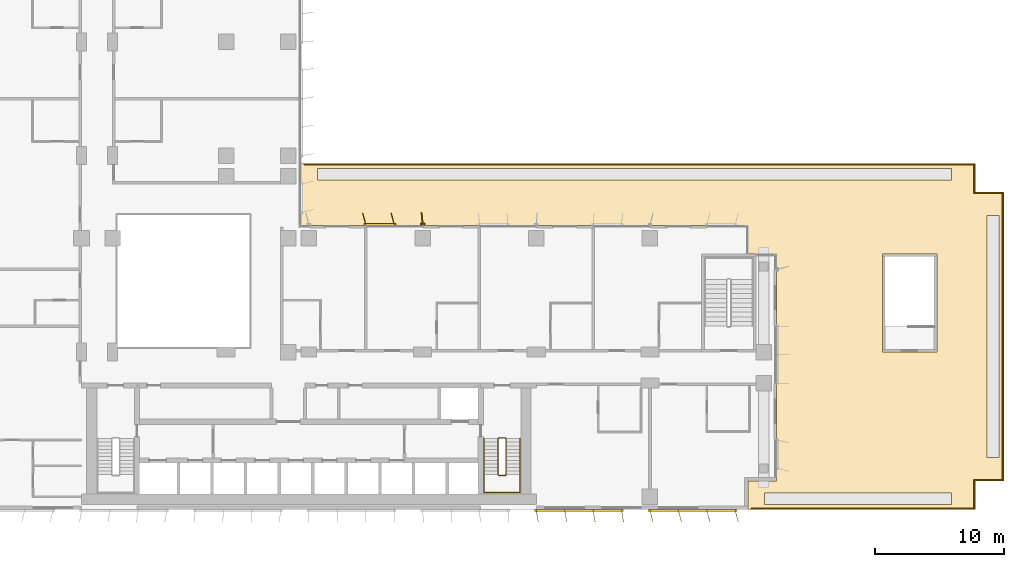
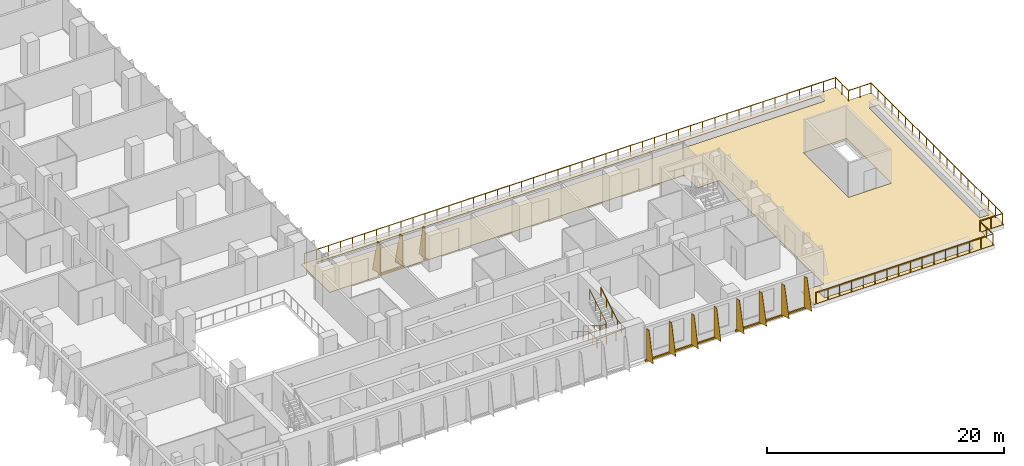
# One storey, part 24 of 27: 4 shading devices, 3 railings, 1 covering.
"""IFC4 building model written with IfcOpenShell, lengths in metres."""

from ifc_helpers import new_model, si_unit, direction, frame, origin, origin_2d, place, context, subcontext, project, spatial, polyline, rectangle, circle, outline, extrude, source, transform, mapped, material, layer, layer_set, type_object, element, save


model = new_model("IFC4")

# Units and contexts
model_context = context("Model", 3, precision=1e-05, world=origin(), true_north=direction((0.0, 1.0)))
body_context = subcontext(model_context, "Body", "Model", "MODEL_VIEW")
ifc_project = project(units=[si_unit("LENGTHUNIT", "METRE"), si_unit("AREAUNIT", "SQUARE_METRE"), si_unit("VOLUMEUNIT", "CUBIC_METRE"), si_unit("PLANEANGLEUNIT", "RADIAN"), si_unit("MASSUNIT", "GRAM", prefix="KILO")], contexts=[model_context])

# Site, building, storey
site_placement = place(None, origin())
site = spatial("IfcSite", under=ifc_project, at=site_placement, CompositionType="ELEMENT")
building_placement = place(site_placement, origin())
building = spatial("IfcBuilding", under=site, at=building_placement, Name="Kemantara Hotel Tower", CompositionType="ELEMENT")
storey_placement = place(building_placement, frame((0.0, 0.0, 83.39990234375)))
storey = spatial("IfcBuildingStorey", under=building, at=storey_placement, Name="L19", CompositionType="ELEMENT", Elevation=83.39990234375)

# Railings
ifc_material_1 = material(Name="Stainless steel balustrade", Category="steel")
railing_type_1 = type_object("IfcRailingType", Name="Stair guard 1100 mm", PredefinedType="GUARDRAIL", material=ifc_material_1)
railing_1_placement = place(storey_placement, frame((42.64990234375, 5.5, 3.7001953125)))
element("IfcRailing", 1, at=railing_1_placement, inside=storey, type_object=railing_type_1, Name="L19 ST2 stair guard 1", PredefinedType="GUARDRAIL", context=body_context, shape_type="SweptSolid", body=[
    extrude(circle(Radius=0.02392578125, at=origin_2d()), frame((0.0, 0.0, 1.076171875), z_axis=(0.0, -0.857242210791, -0.514913383045), x_axis=(1.0, 0.0, 0.0)), (0.0, 0.0, 1.0), 3.266357421875),
    extrude(circle(Radius=0.02392578125, at=origin_2d()), frame((0.0, -2.800048828125, -0.60595703125), z_axis=(-0.273006030465, -0.27434429532, -0.922064485248), x_axis=(0.708833529934, -0.705375805398, 0.0)), (0.0, 0.0, 1.0), 0.182373046875),
    extrude(circle(Radius=0.02392578125, at=origin_2d()), frame((-0.0498046875, -2.85009765625, -0.77392578125), z_axis=(-1.0, 0.0, 0.0), x_axis=(0.0, -1.0, 0.0)), (0.0, 0.0, 1.0), 0.5),
    extrude(circle(Radius=0.02392578125, at=origin_2d()), frame((-0.5498046875, -2.85009765625, -0.77392578125), z_axis=(-0.707106781187, 0.707106781187, 0.0), x_axis=(-0.707106781187, -0.707106781187, 0.0)), (0.0, 0.0, 1.0), 0.07080078125),
    extrude(circle(Radius=0.02392578125, at=origin_2d()), frame((-0.599853515625, -2.800048828125, -0.77392578125), z_axis=(0.0, 0.857242210791, -0.514913383045), x_axis=(-1.0, 0.0, 0.0)), (0.0, 0.0, 1.0), 3.266357421875),
    extrude(circle(Radius=0.02392578125, at=origin_2d()), frame((-0.599853515625, 0.0, -2.4560546875), z_axis=(0.274243871929, 0.274243871929, -0.92172696468), x_axis=(-0.707106781187, 0.707106781187, 0.0)), (0.0, 0.0, 1.0), 0.1826171875),
    extrude(circle(Radius=0.02392578125, at=origin_2d()), frame((-0.5498046875, 0.050048828125, -2.6240234375), z_axis=(1.0, 0.0, 0.0), x_axis=(0.0, 1.0, 0.0)), (0.0, 0.0, 1.0), 0.5),
    extrude(circle(Radius=0.02099609375, at=origin_2d()), origin(), (0.0, 0.0, 1.0), 1.052001953125),
    extrude(circle(Radius=0.02099609375, at=origin_2d()), frame((0.0, -0.933349609375, -0.560546875)), (0.0, 0.0, 1.0), 1.052001953125),
    extrude(circle(Radius=0.02099609375, at=origin_2d()), frame((0.0, -1.86669921875, -1.121337890625)), (0.0, 0.0, 1.0), 1.052001953125),
    extrude(circle(Radius=0.02099609375, at=origin_2d()), frame((0.0, -2.800048828125, -1.681884765625)), (0.0, 0.0, 1.0), 1.052001953125),
    extrude(circle(Radius=0.02099609375, at=origin_2d()), frame((-0.0498046875, -2.85009765625, -1.85009765625)), (0.0, 0.0, 1.0), 1.052001953125),
    extrude(circle(Radius=0.02099609375, at=origin_2d()), frame((-0.5498046875, -2.85009765625, -1.85009765625)), (0.0, 0.0, 1.0), 1.052001953125),
    extrude(circle(Radius=0.02099609375, at=origin_2d()), frame((-0.599853515625, -2.800048828125, -1.85009765625)), (0.0, 0.0, 1.0), 1.052001953125),
    extrude(circle(Radius=0.02099609375, at=origin_2d()), frame((-0.599853515625, -1.86669921875, -2.41064453125)), (0.0, 0.0, 1.0), 1.052001953125),
    extrude(circle(Radius=0.02099609375, at=origin_2d()), frame((-0.599853515625, -0.933349609375, -2.971435546875)), (0.0, 0.0, 1.0), 1.052001953125),
    extrude(circle(Radius=0.02099609375, at=origin_2d()), frame((-0.599853515625, 0.0, -3.531982421875)), (0.0, 0.0, 1.0), 1.052001953125),
    extrude(circle(Radius=0.02099609375, at=origin_2d()), frame((-0.5498046875, 0.050048828125, -3.7001953125)), (0.0, 0.0, 1.0), 1.052001953125),
    extrude(circle(Radius=0.02099609375, at=origin_2d()), frame((-0.0498046875, 0.050048828125, -3.7001953125)), (0.0, 0.0, 1.0), 1.052001953125),
])
railing_type_2 = type_object("IfcRailingType", Name="Stair handrail 900 mm", PredefinedType="HANDRAIL", material=ifc_material_1)
railing_2_placement = place(storey_placement, frame((40.949951171875, 5.5, 0.168212890625)))
element("IfcRailing", 2, at=railing_2_placement, inside=storey, type_object=railing_type_2, Name="L19 ST2 stair handrail 1", PredefinedType="HANDRAIL", context=body_context, shape_type="SweptSolid", body=[
    extrude(circle(Radius=0.02392578125, at=origin_2d()), frame((0.0, 0.0, 0.8759765625), z_axis=(0.0, -0.857242210791, 0.514913383045), x_axis=(1.0, 0.0, 0.0)), (0.0, 0.0, 1.0), 3.266357421875),
    extrude(circle(Radius=0.02392578125, at=origin_2d()), frame((0.0, -2.800048828125, 2.5576171875), z_axis=(0.0, -1.0, 0.0), x_axis=(1.0, 0.0, 0.0)), (0.0, 0.0, 1.0), 1.3798828125),
    extrude(circle(Radius=0.02392578125, at=origin_2d()), frame((0.0, -4.179931640625, 2.5576171875), z_axis=(0.998200367801, 0.0, 0.059966871865), x_axis=(0.0, 1.0, 0.0)), (0.0, 0.0, 1.0), 2.80517578125),
    extrude(circle(Radius=0.02392578125, at=origin_2d()), frame((2.800048828125, -4.179931640625, 2.72607421875), z_axis=(0.0, 1.0, 0.0), x_axis=(-1.0, 0.0, 0.0)), (0.0, 0.0, 1.0), 1.3798828125),
    extrude(circle(Radius=0.02392578125, at=origin_2d()), frame((2.800048828125, -2.800048828125, 2.72607421875), z_axis=(0.0, 0.857242210791, 0.514913383045), x_axis=(-1.0, 0.0, 0.0)), (0.0, 0.0, 1.0), 3.266357421875),
    extrude(circle(Radius=0.02099609375, at=origin_2d()), origin(), (0.0, 0.0, 1.0), 0.851806640625),
    extrude(circle(Radius=0.02099609375, at=origin_2d()), frame((0.0, -0.933349609375, 0.560546875)), (0.0, 0.0, 1.0), 0.851806640625),
    extrude(circle(Radius=0.02099609375, at=origin_2d()), frame((0.0, -1.86669921875, 1.121337890625)), (0.0, 0.0, 1.0), 0.851806640625),
    extrude(circle(Radius=0.02099609375, at=origin_2d()), frame((0.0, -2.800048828125, 1.681884765625)), (0.0, 0.0, 1.0), 0.851806640625),
    extrude(circle(Radius=0.02099609375, at=origin_2d()), frame((0.0, -3.489990234375, 1.681884765625)), (0.0, 0.0, 1.0), 0.851806640625),
    extrude(circle(Radius=0.02099609375, at=origin_2d()), frame((0.0, -4.179931640625, 1.681884765625)), (0.0, 0.0, 1.0), 0.851806640625),
    extrude(circle(Radius=0.02099609375, at=origin_2d()), frame((0.933349609375, -4.179931640625, 1.738037109375)), (0.0, 0.0, 1.0), 0.851806640625),
    extrude(circle(Radius=0.02099609375, at=origin_2d()), frame((1.86669921875, -4.179931640625, 1.7939453125)), (0.0, 0.0, 1.0), 0.851806640625),
    extrude(circle(Radius=0.02099609375, at=origin_2d()), frame((2.800048828125, -4.179931640625, 1.85009765625)), (0.0, 0.0, 1.0), 0.851806640625),
    extrude(circle(Radius=0.02099609375, at=origin_2d()), frame((2.800048828125, -3.489990234375, 1.85009765625)), (0.0, 0.0, 1.0), 0.851806640625),
    extrude(circle(Radius=0.02099609375, at=origin_2d()), frame((2.800048828125, -2.800048828125, 1.85009765625)), (0.0, 0.0, 1.0), 0.851806640625),
    extrude(circle(Radius=0.02099609375, at=origin_2d()), frame((2.800048828125, -1.86669921875, 2.41064453125)), (0.0, 0.0, 1.0), 0.851806640625),
    extrude(circle(Radius=0.02099609375, at=origin_2d()), frame((2.800048828125, -0.933349609375, 2.971435546875)), (0.0, 0.0, 1.0), 0.851806640625),
    extrude(circle(Radius=0.02099609375, at=origin_2d()), frame((2.800048828125, 0.0, 3.531982421875)), (0.0, 0.0, 1.0), 0.851806640625),
])
ifc_material_2 = material(Name="Stainless steel 316 (EN 1.4401)", Category="steel")
railing_type_3 = type_object("IfcRailingType", Name="TERRACE GUARD, STAINLESS STEEL 1100", PredefinedType="GUARDRAIL", material=ifc_material_2)
railing_3_placement = place(storey_placement, frame((27.050048828125, 26.699951171875, 0.0)))
element("IfcRailing", 3, at=railing_3_placement, inside=storey, type_object=railing_type_3, Name="TERRACE GUARD TERRACE-S1-1", PredefinedType="GUARDRAIL", context=body_context, shape_type="SweptSolid", body=[
    extrude(circle(Radius=0.02490234375, at=origin_2d()), frame((0.0, 0.0, 1.0751953125), z_axis=(1.0, 0.0, 0.0), x_axis=(0.0, 1.0, 0.0)), (0.0, 0.0, 1.0), 51.849853515625),
    extrude(circle(Radius=0.02490234375, at=origin_2d()), frame((51.849853515625, 0.0, 1.0751953125), z_axis=(0.0, -1.0, 0.0), x_axis=(1.0, 0.0, 0.0)), (0.0, 0.0, 1.0), 2.199951171875),
    extrude(circle(Radius=0.02490234375, at=origin_2d()), frame((51.849853515625, -2.199951171875, 1.0751953125), z_axis=(1.0, 0.0, 0.0), x_axis=(0.0, 1.0, 0.0)), (0.0, 0.0, 1.0), 2.2001953125),
    extrude(circle(Radius=0.02490234375, at=origin_2d()), frame((54.050048828125, -2.199951171875, 1.0751953125), z_axis=(0.0, -1.0, 0.0), x_axis=(1.0, 0.0, 0.0)), (0.0, 0.0, 1.0), 22.199951171875),
    extrude(circle(Radius=0.02490234375, at=origin_2d()), frame((54.050048828125, -24.39990234375, 1.0751953125), z_axis=(-1.0, 0.0, 0.0), x_axis=(0.0, -1.0, 0.0)), (0.0, 0.0, 1.0), 2.2001953125),
    extrude(circle(Radius=0.02490234375, at=origin_2d()), frame((51.849853515625, -24.39990234375, 1.0751953125), z_axis=(0.0, -1.0, 0.0), x_axis=(1.0, 0.0, 0.0)), (0.0, 0.0, 1.0), 2.199951171875),
    extrude(circle(Radius=0.02490234375, at=origin_2d()), frame((51.849853515625, -26.599853515625, 1.0751953125), z_axis=(-1.0, 0.0, 0.0), x_axis=(0.0, -1.0, 0.0)), (0.0, 0.0, 1.0), 17.25),
    extrude(circle(Radius=0.02001953125, at=origin_2d()), origin(), (0.0, 0.0, 1.0), 1.050048828125),
    extrude(circle(Radius=0.02001953125, at=origin_2d()), frame((1.178466796875, 0.0, 0.0)), (0.0, 0.0, 1.0), 1.050048828125),
    extrude(circle(Radius=0.02001953125, at=origin_2d()), frame((2.35693359375, 0.0, 0.0)), (0.0, 0.0, 1.0), 1.050048828125),
    extrude(circle(Radius=0.02001953125, at=origin_2d()), frame((3.53515625, 0.0, 0.0)), (0.0, 0.0, 1.0), 1.050048828125),
    extrude(circle(Radius=0.02001953125, at=origin_2d()), frame((4.713623046875, 0.0, 0.0)), (0.0, 0.0, 1.0), 1.050048828125),
    extrude(circle(Radius=0.02001953125, at=origin_2d()), frame((5.89208984375, 0.0, 0.0)), (0.0, 0.0, 1.0), 1.050048828125),
    extrude(circle(Radius=0.02001953125, at=origin_2d()), frame((7.0703125, 0.0, 0.0)), (0.0, 0.0, 1.0), 1.050048828125),
    extrude(circle(Radius=0.02001953125, at=origin_2d()), frame((8.248779296875, 0.0, 0.0)), (0.0, 0.0, 1.0), 1.050048828125),
    extrude(circle(Radius=0.02001953125, at=origin_2d()), frame((9.42724609375, 0.0, 0.0)), (0.0, 0.0, 1.0), 1.050048828125),
    extrude(circle(Radius=0.02001953125, at=origin_2d()), frame((10.605712890625, 0.0, 0.0)), (0.0, 0.0, 1.0), 1.050048828125),
    extrude(circle(Radius=0.02001953125, at=origin_2d()), frame((11.7841796875, 0.0, 0.0)), (0.0, 0.0, 1.0), 1.050048828125),
    extrude(circle(Radius=0.02001953125, at=origin_2d()), frame((12.96240234375, 0.0, 0.0)), (0.0, 0.0, 1.0), 1.050048828125),
    extrude(circle(Radius=0.02001953125, at=origin_2d()), frame((14.140869140625, 0.0, 0.0)), (0.0, 0.0, 1.0), 1.050048828125),
    extrude(circle(Radius=0.02001953125, at=origin_2d()), frame((15.3193359375, 0.0, 0.0)), (0.0, 0.0, 1.0), 1.050048828125),
    extrude(circle(Radius=0.02001953125, at=origin_2d()), frame((16.49755859375, 0.0, 0.0)), (0.0, 0.0, 1.0), 1.050048828125),
    extrude(circle(Radius=0.02001953125, at=origin_2d()), frame((17.676025390625, 0.0, 0.0)), (0.0, 0.0, 1.0), 1.050048828125),
    extrude(circle(Radius=0.02001953125, at=origin_2d()), frame((18.8544921875, 0.0, 0.0)), (0.0, 0.0, 1.0), 1.050048828125),
    extrude(circle(Radius=0.02001953125, at=origin_2d()), frame((20.032958984375, 0.0, 0.0)), (0.0, 0.0, 1.0), 1.050048828125),
    extrude(circle(Radius=0.02001953125, at=origin_2d()), frame((21.21142578125, 0.0, 0.0)), (0.0, 0.0, 1.0), 1.050048828125),
    extrude(circle(Radius=0.02001953125, at=origin_2d()), frame((22.3896484375, 0.0, 0.0)), (0.0, 0.0, 1.0), 1.050048828125),
    extrude(circle(Radius=0.02001953125, at=origin_2d()), frame((23.568115234375, 0.0, 0.0)), (0.0, 0.0, 1.0), 1.050048828125),
    extrude(circle(Radius=0.02001953125, at=origin_2d()), frame((24.74658203125, 0.0, 0.0)), (0.0, 0.0, 1.0), 1.050048828125),
    extrude(circle(Radius=0.02001953125, at=origin_2d()), frame((25.9248046875, 0.0, 0.0)), (0.0, 0.0, 1.0), 1.050048828125),
    extrude(circle(Radius=0.02001953125, at=origin_2d()), frame((27.103271484375, 0.0, 0.0)), (0.0, 0.0, 1.0), 1.050048828125),
    extrude(circle(Radius=0.02001953125, at=origin_2d()), frame((28.28173828125, 0.0, 0.0)), (0.0, 0.0, 1.0), 1.050048828125),
    extrude(circle(Radius=0.02001953125, at=origin_2d()), frame((29.460205078125, 0.0, 0.0)), (0.0, 0.0, 1.0), 1.050048828125),
    extrude(circle(Radius=0.02001953125, at=origin_2d()), frame((30.638671875, 0.0, 0.0)), (0.0, 0.0, 1.0), 1.050048828125),
    extrude(circle(Radius=0.02001953125, at=origin_2d()), frame((31.81689453125, 0.0, 0.0)), (0.0, 0.0, 1.0), 1.050048828125),
    extrude(circle(Radius=0.02001953125, at=origin_2d()), frame((32.995361328125, 0.0, 0.0)), (0.0, 0.0, 1.0), 1.050048828125),
    extrude(circle(Radius=0.02001953125, at=origin_2d()), frame((34.173828125, 0.0, 0.0)), (0.0, 0.0, 1.0), 1.050048828125),
    extrude(circle(Radius=0.02001953125, at=origin_2d()), frame((35.35205078125, 0.0, 0.0)), (0.0, 0.0, 1.0), 1.050048828125),
    extrude(circle(Radius=0.02001953125, at=origin_2d()), frame((36.530517578125, 0.0, 0.0)), (0.0, 0.0, 1.0), 1.050048828125),
    extrude(circle(Radius=0.02001953125, at=origin_2d()), frame((37.708984375, 0.0, 0.0)), (0.0, 0.0, 1.0), 1.050048828125),
    extrude(circle(Radius=0.02001953125, at=origin_2d()), frame((38.887451171875, 0.0, 0.0)), (0.0, 0.0, 1.0), 1.050048828125),
    extrude(circle(Radius=0.02001953125, at=origin_2d()), frame((40.06591796875, 0.0, 0.0)), (0.0, 0.0, 1.0), 1.050048828125),
    extrude(circle(Radius=0.02001953125, at=origin_2d()), frame((41.244140625, 0.0, 0.0)), (0.0, 0.0, 1.0), 1.050048828125),
    extrude(circle(Radius=0.02001953125, at=origin_2d()), frame((42.422607421875, 0.0, 0.0)), (0.0, 0.0, 1.0), 1.050048828125),
    extrude(circle(Radius=0.02001953125, at=origin_2d()), frame((43.60107421875, 0.0, 0.0)), (0.0, 0.0, 1.0), 1.050048828125),
    extrude(circle(Radius=0.02001953125, at=origin_2d()), frame((44.779296875, 0.0, 0.0)), (0.0, 0.0, 1.0), 1.050048828125),
    extrude(circle(Radius=0.02001953125, at=origin_2d()), frame((45.957763671875, 0.0, 0.0)), (0.0, 0.0, 1.0), 1.050048828125),
    extrude(circle(Radius=0.02001953125, at=origin_2d()), frame((47.13623046875, 0.0, 0.0)), (0.0, 0.0, 1.0), 1.050048828125),
    extrude(circle(Radius=0.02001953125, at=origin_2d()), frame((48.314697265625, 0.0, 0.0)), (0.0, 0.0, 1.0), 1.050048828125),
    extrude(circle(Radius=0.02001953125, at=origin_2d()), frame((49.4931640625, 0.0, 0.0)), (0.0, 0.0, 1.0), 1.050048828125),
    extrude(circle(Radius=0.02001953125, at=origin_2d()), frame((50.67138671875, 0.0, 0.0)), (0.0, 0.0, 1.0), 1.050048828125),
    extrude(circle(Radius=0.02001953125, at=origin_2d()), frame((51.849853515625, 0.0, 0.0)), (0.0, 0.0, 1.0), 1.050048828125),
    extrude(circle(Radius=0.02001953125, at=origin_2d()), frame((51.849853515625, -1.10009765625, 0.0)), (0.0, 0.0, 1.0), 1.050048828125),
    extrude(circle(Radius=0.02001953125, at=origin_2d()), frame((51.849853515625, -2.199951171875, 0.0)), (0.0, 0.0, 1.0), 1.050048828125),
    extrude(circle(Radius=0.02001953125, at=origin_2d()), frame((52.949951171875, -2.199951171875, 0.0)), (0.0, 0.0, 1.0), 1.050048828125),
    extrude(circle(Radius=0.02001953125, at=origin_2d()), frame((54.050048828125, -2.199951171875, 0.0)), (0.0, 0.0, 1.0), 1.050048828125),
    extrude(circle(Radius=0.02001953125, at=origin_2d()), frame((54.050048828125, -3.368408203125, 0.0)), (0.0, 0.0, 1.0), 1.050048828125),
    extrude(circle(Radius=0.02001953125, at=origin_2d()), frame((54.050048828125, -4.536865234375, 0.0)), (0.0, 0.0, 1.0), 1.050048828125),
    extrude(circle(Radius=0.02001953125, at=origin_2d()), frame((54.050048828125, -5.705322265625, 0.0)), (0.0, 0.0, 1.0), 1.050048828125),
    extrude(circle(Radius=0.02001953125, at=origin_2d()), frame((54.050048828125, -6.87353515625, 0.0)), (0.0, 0.0, 1.0), 1.050048828125),
    extrude(circle(Radius=0.02001953125, at=origin_2d()), frame((54.050048828125, -8.0419921875, 0.0)), (0.0, 0.0, 1.0), 1.050048828125),
    extrude(circle(Radius=0.02001953125, at=origin_2d()), frame((54.050048828125, -9.21044921875, 0.0)), (0.0, 0.0, 1.0), 1.050048828125),
    extrude(circle(Radius=0.02001953125, at=origin_2d()), frame((54.050048828125, -10.37890625, 0.0)), (0.0, 0.0, 1.0), 1.050048828125),
    extrude(circle(Radius=0.02001953125, at=origin_2d()), frame((54.050048828125, -11.54736328125, 0.0)), (0.0, 0.0, 1.0), 1.050048828125),
    extrude(circle(Radius=0.02001953125, at=origin_2d()), frame((54.050048828125, -12.7158203125, 0.0)), (0.0, 0.0, 1.0), 1.050048828125),
    extrude(circle(Radius=0.02001953125, at=origin_2d()), frame((54.050048828125, -13.884033203125, 0.0)), (0.0, 0.0, 1.0), 1.050048828125),
    extrude(circle(Radius=0.02001953125, at=origin_2d()), frame((54.050048828125, -15.052490234375, 0.0)), (0.0, 0.0, 1.0), 1.050048828125),
    extrude(circle(Radius=0.02001953125, at=origin_2d()), frame((54.050048828125, -16.220947265625, 0.0)), (0.0, 0.0, 1.0), 1.050048828125),
    extrude(circle(Radius=0.02001953125, at=origin_2d()), frame((54.050048828125, -17.389404296875, 0.0)), (0.0, 0.0, 1.0), 1.050048828125),
    extrude(circle(Radius=0.02001953125, at=origin_2d()), frame((54.050048828125, -18.557861328125, 0.0)), (0.0, 0.0, 1.0), 1.050048828125),
    extrude(circle(Radius=0.02001953125, at=origin_2d()), frame((54.050048828125, -19.726318359375, 0.0)), (0.0, 0.0, 1.0), 1.050048828125),
    extrude(circle(Radius=0.02001953125, at=origin_2d()), frame((54.050048828125, -20.89453125, 0.0)), (0.0, 0.0, 1.0), 1.050048828125),
    extrude(circle(Radius=0.02001953125, at=origin_2d()), frame((54.050048828125, -22.06298828125, 0.0)), (0.0, 0.0, 1.0), 1.050048828125),
    extrude(circle(Radius=0.02001953125, at=origin_2d()), frame((54.050048828125, -23.2314453125, 0.0)), (0.0, 0.0, 1.0), 1.050048828125),
    extrude(circle(Radius=0.02001953125, at=origin_2d()), frame((54.050048828125, -24.39990234375, 0.0)), (0.0, 0.0, 1.0), 1.050048828125),
    extrude(circle(Radius=0.02001953125, at=origin_2d()), frame((52.949951171875, -24.39990234375, 0.0)), (0.0, 0.0, 1.0), 1.050048828125),
    extrude(circle(Radius=0.02001953125, at=origin_2d()), frame((51.849853515625, -24.39990234375, 0.0)), (0.0, 0.0, 1.0), 1.050048828125),
    extrude(circle(Radius=0.02001953125, at=origin_2d()), frame((51.849853515625, -25.5, 0.0)), (0.0, 0.0, 1.0), 1.050048828125),
    extrude(circle(Radius=0.02001953125, at=origin_2d()), frame((51.849853515625, -26.599853515625, 0.0)), (0.0, 0.0, 1.0), 1.050048828125),
    extrude(circle(Radius=0.02001953125, at=origin_2d()), frame((50.699951171875, -26.599853515625, 0.0)), (0.0, 0.0, 1.0), 1.050048828125),
    extrude(circle(Radius=0.02001953125, at=origin_2d()), frame((49.5498046875, -26.599853515625, 0.0)), (0.0, 0.0, 1.0), 1.050048828125),
    extrude(circle(Radius=0.02001953125, at=origin_2d()), frame((48.39990234375, -26.599853515625, 0.0)), (0.0, 0.0, 1.0), 1.050048828125),
    extrude(circle(Radius=0.02001953125, at=origin_2d()), frame((47.249755859375, -26.599853515625, 0.0)), (0.0, 0.0, 1.0), 1.050048828125),
    extrude(circle(Radius=0.02001953125, at=origin_2d()), frame((46.099853515625, -26.599853515625, 0.0)), (0.0, 0.0, 1.0), 1.050048828125),
    extrude(circle(Radius=0.02001953125, at=origin_2d()), frame((44.949951171875, -26.599853515625, 0.0)), (0.0, 0.0, 1.0), 1.050048828125),
    extrude(circle(Radius=0.02001953125, at=origin_2d()), frame((43.7998046875, -26.599853515625, 0.0)), (0.0, 0.0, 1.0), 1.050048828125),
    extrude(circle(Radius=0.02001953125, at=origin_2d()), frame((42.64990234375, -26.599853515625, 0.0)), (0.0, 0.0, 1.0), 1.050048828125),
    extrude(circle(Radius=0.02001953125, at=origin_2d()), frame((41.499755859375, -26.599853515625, 0.0)), (0.0, 0.0, 1.0), 1.050048828125),
    extrude(circle(Radius=0.02001953125, at=origin_2d()), frame((40.349853515625, -26.599853515625, 0.0)), (0.0, 0.0, 1.0), 1.050048828125),
    extrude(circle(Radius=0.02001953125, at=origin_2d()), frame((39.199951171875, -26.599853515625, 0.0)), (0.0, 0.0, 1.0), 1.050048828125),
    extrude(circle(Radius=0.02001953125, at=origin_2d()), frame((38.0498046875, -26.599853515625, 0.0)), (0.0, 0.0, 1.0), 1.050048828125),
    extrude(circle(Radius=0.02001953125, at=origin_2d()), frame((36.89990234375, -26.599853515625, 0.0)), (0.0, 0.0, 1.0), 1.050048828125),
    extrude(circle(Radius=0.02001953125, at=origin_2d()), frame((35.749755859375, -26.599853515625, 0.0)), (0.0, 0.0, 1.0), 1.050048828125),
    extrude(circle(Radius=0.02001953125, at=origin_2d()), frame((34.599853515625, -26.599853515625, 0.0)), (0.0, 0.0, 1.0), 1.050048828125),
])

# Covering
ifc_material_3 = material(Name="Bituminous roofing membrane under porcelain paving")
ifc_layer_1 = layer(ifc_material_3, 0.050048828125)
ifc_layer_set_1 = layer_set([ifc_layer_1], Name="Bituminous roofing membrane under porcelain paving")
covering_type = type_object("IfcCoveringType", Name="TERRACE ROOFING AND PAVING 50", PredefinedType="ROOFING", material=ifc_layer_set_1)
covering_placement = place(storey_placement, frame((0.0, 0.0, -0.0498046875)))
element("IfcCovering", 4, at=covering_placement, inside=storey, type_object=covering_type, Name="ROOFING AND PAVING TERRACE-S1", PredefinedType="ROOFING", context=body_context, shape_type="SweptSolid", body=[
    extrude(outline(polyline([(81.199951171875, 2.199951171875), (79.0, 2.199951171875), (79.0, 0.0), (61.39990234375, 0.0), (61.39990234375, 2.199951171875), (63.60009765625, 2.199951171875), (63.60009765625, 19.800048828125), (61.39990234375, 19.800048828125), (61.39990234375, 22.0), (26.800048828125, 22.0), (26.800048828125, 26.800048828125), (79.0, 26.800048828125), (79.0, 24.60009765625), (81.199951171875, 24.60009765625), (81.199951171875, 2.199951171875)]), holes=[polyline([(71.800048828125, 12.199951171875), (76.0, 12.199951171875), (76.0, 19.800048828125), (71.800048828125, 19.800048828125), (71.800048828125, 12.199951171875)]), polyline([(77.14990234375, 25.5), (77.14990234375, 26.39990234375), (28.050048828125, 26.39990234375), (28.050048828125, 25.5), (77.14990234375, 25.5)]), polyline([(79.89990234375, 22.75), (79.89990234375, 4.050048828125), (80.800048828125, 4.050048828125), (80.800048828125, 22.75), (79.89990234375, 22.75)]), polyline([(77.14990234375, 0.39990234375), (77.14990234375, 1.300048828125), (62.64990234375, 1.300048828125), (62.64990234375, 0.39990234375), (77.14990234375, 0.39990234375)])]), origin(), (0.0, 0.0, 1.0), 0.0498046875),
])

# Shading devices
ifc_material_4 = material(Name="Perforated aluminium plate 4 mm bronze anodised", Category="aluminium")
ifc_layer_2 = layer(ifc_material_4, 0.0400390625)
ifc_layer_set_2 = layer_set([ifc_layer_2], Name="Perforated aluminium plate 4 mm bronze anodised")
shading_device_type_1 = type_object("IfcShadingDeviceType", Name="SCREEN FIN CASSETTE, 4 BLADES AT +10.0 DEG, 3200 HIGH", PredefinedType="USERDEFINED", material=ifc_layer_set_2)
shared_shape_1 = source(origin(), body_context, "Body", "SweptSolid", [
    extrude(rectangle(XDim=6.89990234375, YDim=0.14990234375, at=origin_2d()), frame((3.300048828125, -0.074951171875, -0.14990234375), z_axis=(0.0, 0.0, 1.0), x_axis=(1.0, 0.0, 0.0)), (0.0, 0.0, 1.0), 0.14990234375),
    extrude(outline(polyline([(0.0, 0.0), (0.89990234375, 0.0), (0.35009765625, 3.199951171875), (0.0, 3.199951171875), (0.0, 0.0)])), frame((0.019775390625, -0.071533203125, 0.0), z_axis=(-0.985389793052, -0.170314285219, 0.0), x_axis=(0.170314285219, -0.985389793052, 0.0)), (0.0, 0.0, 1.0), 0.0400390625),
    extrude(outline(polyline([(0.0, 0.0), (0.89990234375, 0.0), (0.35009765625, 3.199951171875), (0.0, 3.199951171875), (0.0, 0.0)])), frame((2.2197265625, -0.071533203125, 0.0), z_axis=(-0.98521175482, -0.171341174751, 0.0), x_axis=(0.171341174751, -0.98521175482, 0.0)), (0.0, 0.0, 1.0), 0.039794921875),
    extrude(outline(polyline([(0.0, 0.0), (0.89990234375, 0.0), (0.35009765625, 3.199951171875), (0.0, 3.199951171875), (0.0, 0.0)])), frame((4.419677734375, -0.071533203125, 0.0), z_axis=(-0.98521175482, -0.171341174751, 0.0), x_axis=(0.171341174751, -0.98521175482, 0.0)), (0.0, 0.0, 1.0), 0.039794921875),
    extrude(outline(polyline([(0.0, 0.0), (0.89990234375, 0.0), (0.35009765625, 3.199951171875), (0.0, 3.199951171875), (0.0, 0.0)])), frame((6.61962890625, -0.071533203125, 0.0), z_axis=(-0.98521175482, -0.171341174751, 0.0), x_axis=(0.171341174751, -0.98521175482, 0.0)), (0.0, 0.0, 1.0), 0.039794921875),
])
shading_device_1_placement = place(storey_placement, frame((45.0, 0.0, 0.10009765625), z_axis=(0.0, 0.0, 1.0), x_axis=(1.0, 0.0, 0.0)))
element("IfcShadingDevice", 5, at=shading_device_1_placement, inside=storey, type_object=shading_device_type_1, Name="SCREEN FIN CASSETTE L19 T2-R07-6", ObjectType="SCREEN FIN", PredefinedType="USERDEFINED", context=body_context, shape_type="MappedRepresentation", body=[
    mapped(shared_shape_1, transform((0.0, 0.0, 0.0))),
])
ifc_layer_3 = layer(ifc_material_4, 0.0400390625)
ifc_layer_set_3 = layer_set([ifc_layer_3], Name="Perforated aluminium plate 4 mm bronze anodised")
shading_device_type_2 = type_object("IfcShadingDeviceType", Name="SCREEN FIN CASSETTE, 4 BLADES AT +15.0 DEG, 3200 HIGH", PredefinedType="USERDEFINED", material=ifc_layer_set_3)
shared_shape_2 = source(origin(), body_context, "Body", "SweptSolid", [
    extrude(rectangle(XDim=6.89990234375, YDim=0.14990234375, at=origin_2d()), frame((3.300048828125, -0.074951171875, -0.14990234375), z_axis=(0.0, 0.0, 1.0), x_axis=(1.0, 0.0, 0.0)), (0.0, 0.0, 1.0), 0.14990234375),
    extrude(outline(polyline([(0.0, 0.0), (0.89990234375, 0.0), (0.35009765625, 3.199951171875), (0.0, 3.199951171875), (0.0, 0.0)])), frame((0.019287109375, -0.06982421875, 0.0), z_axis=(-0.966437683387, -0.256901156343, 0.0), x_axis=(0.256901156343, -0.966437683387, 0.0)), (0.0, 0.0, 1.0), 0.039794921875),
    extrude(outline(polyline([(0.0, 0.0), (0.89990234375, 0.0), (0.35009765625, 3.199951171875), (0.0, 3.199951171875), (0.0, 0.0)])), frame((2.21923828125, -0.06982421875, 0.0), z_axis=(-0.966437683387, -0.256901156343, 0.0), x_axis=(0.256901156343, -0.966437683387, 0.0)), (0.0, 0.0, 1.0), 0.039794921875),
    extrude(outline(polyline([(0.0, 0.0), (0.89990234375, 0.0), (0.35009765625, 3.199951171875), (0.0, 3.199951171875), (0.0, 0.0)])), frame((4.41943359375, -0.06982421875, 0.0), z_axis=(-0.966837822169, -0.255391122837, 0.0), x_axis=(0.255391122837, -0.966837822169, 0.0)), (0.0, 0.0, 1.0), 0.0400390625),
    extrude(outline(polyline([(0.0, 0.0), (0.89990234375, 0.0), (0.35009765625, 3.199951171875), (0.0, 3.199951171875), (0.0, 0.0)])), frame((6.619384765625, -0.06982421875, 0.0), z_axis=(-0.966837822169, -0.255391122837, 0.0), x_axis=(0.255391122837, -0.966837822169, 0.0)), (0.0, 0.0, 1.0), 0.0400390625),
])
shading_device_2_placement = place(storey_placement, frame((53.800048828125, 0.0, 0.10009765625), z_axis=(0.0, 0.0, 1.0), x_axis=(1.0, 0.0, 0.0)))
element("IfcShadingDevice", 6, at=shading_device_2_placement, inside=storey, type_object=shading_device_type_2, Name="SCREEN FIN CASSETTE L19 T2-R07-7", ObjectType="SCREEN FIN", PredefinedType="USERDEFINED", context=body_context, shape_type="MappedRepresentation", body=[
    mapped(shared_shape_2, transform((0.0, 0.0, 0.0))),
])
ifc_layer_4 = layer(ifc_material_4, 0.0400390625)
ifc_layer_set_4 = layer_set([ifc_layer_4], Name="Perforated aluminium plate 4 mm bronze anodised")
shading_device_type_3 = type_object("IfcShadingDeviceType", Name="SCREEN FIN CASSETTE, 2 BLADES AT +15.0 DEG, 3150 HIGH", PredefinedType="USERDEFINED", material=ifc_layer_set_4)
shared_shape_3 = source(origin(), body_context, "Body", "SweptSolid", [
    extrude(rectangle(XDim=2.5, YDim=0.14990234375, at=origin_2d()), frame((1.10009765625, -0.074951171875, -0.14990234375), z_axis=(0.0, 0.0, 1.0), x_axis=(1.0, 0.0, 0.0)), (0.0, 0.0, 1.0), 0.14990234375),
    extrude(outline(polyline([(0.0, 0.0), (0.89990234375, 0.0), (0.35009765625, 3.14990234375), (0.0, 3.14990234375), (0.0, 0.0)])), frame((0.019287109375, -0.06982421875, 0.0), z_axis=(-0.966437683387, -0.256901156343, 0.0), x_axis=(0.256901156343, -0.966437683387, 0.0)), (0.0, 0.0, 1.0), 0.039794921875),
    extrude(outline(polyline([(0.0, 0.0), (0.89990234375, 0.0), (0.35009765625, 3.14990234375), (0.0, 3.14990234375), (0.0, 0.0)])), frame((2.21923828125, -0.06982421875, 0.0), z_axis=(-0.966437683387, -0.256901156343, 0.0), x_axis=(0.256901156343, -0.966437683387, 0.0)), (0.0, 0.0, 1.0), 0.039794921875),
])
shading_device_3_placement = place(storey_placement, frame((34.0, 22.0, 0.150146484375), z_axis=(0.0, 0.0, 1.0), x_axis=(-1.0, 0.0, 0.0)))
element("IfcShadingDevice", 7, at=shading_device_3_placement, inside=storey, type_object=shading_device_type_3, Name="SCREEN FIN CASSETTE L19 T2-R13-7", ObjectType="SCREEN FIN", PredefinedType="USERDEFINED", context=body_context, shape_type="MappedRepresentation", body=[
    mapped(shared_shape_3, transform((0.0, 0.0, 0.0))),
])
ifc_layer_5 = layer(ifc_material_4, 0.0400390625)
ifc_layer_set_5 = layer_set([ifc_layer_5], Name="Perforated aluminium plate 4 mm bronze anodised")
shading_device_type_4 = type_object("IfcShadingDeviceType", Name="SCREEN FIN CASSETTE, 1 BLADE AT +5.0 DEG, 3150 HIGH", PredefinedType="USERDEFINED", material=ifc_layer_set_5)
shared_shape_4 = source(origin(), body_context, "Body", "SweptSolid", [
    extrude(rectangle(XDim=0.300048828125, YDim=0.14990234375, at=origin_2d()), frame((0.0, -0.074951171875, -0.14990234375), z_axis=(0.0, 0.0, 1.0), x_axis=(1.0, 0.0, 0.0)), (0.0, 0.0, 1.0), 0.14990234375),
    extrude(outline(polyline([(0.0, 0.0), (0.89990234375, 0.0), (0.35009765625, 3.14990234375), (0.0, 3.14990234375), (0.0, 0.0)])), frame((0.02001953125, -0.0732421875, 0.0), z_axis=(-0.996376129781, -0.085056498884, 0.0), x_axis=(0.085056498884, -0.996376129781, 0.0)), (0.0, 0.0, 1.0), 0.040283203125),
])
shading_device_4_placement = place(storey_placement, frame((36.199951171875, 22.0, 0.150146484375), z_axis=(0.0, 0.0, 1.0), x_axis=(-1.0, 0.0, 0.0)))
element("IfcShadingDevice", 8, at=shading_device_4_placement, inside=storey, type_object=shading_device_type_4, Name="SCREEN FIN CASSETTE L19 T2-R13-6", ObjectType="SCREEN FIN", PredefinedType="USERDEFINED", context=body_context, shape_type="MappedRepresentation", body=[
    mapped(shared_shape_4, transform((0.0, 0.0, 0.0))),
])

save(model, "model.ifc")
